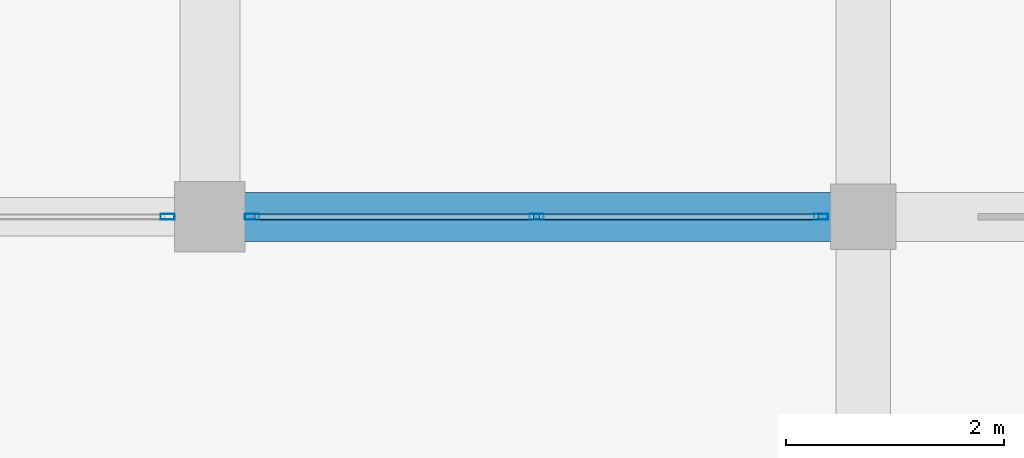
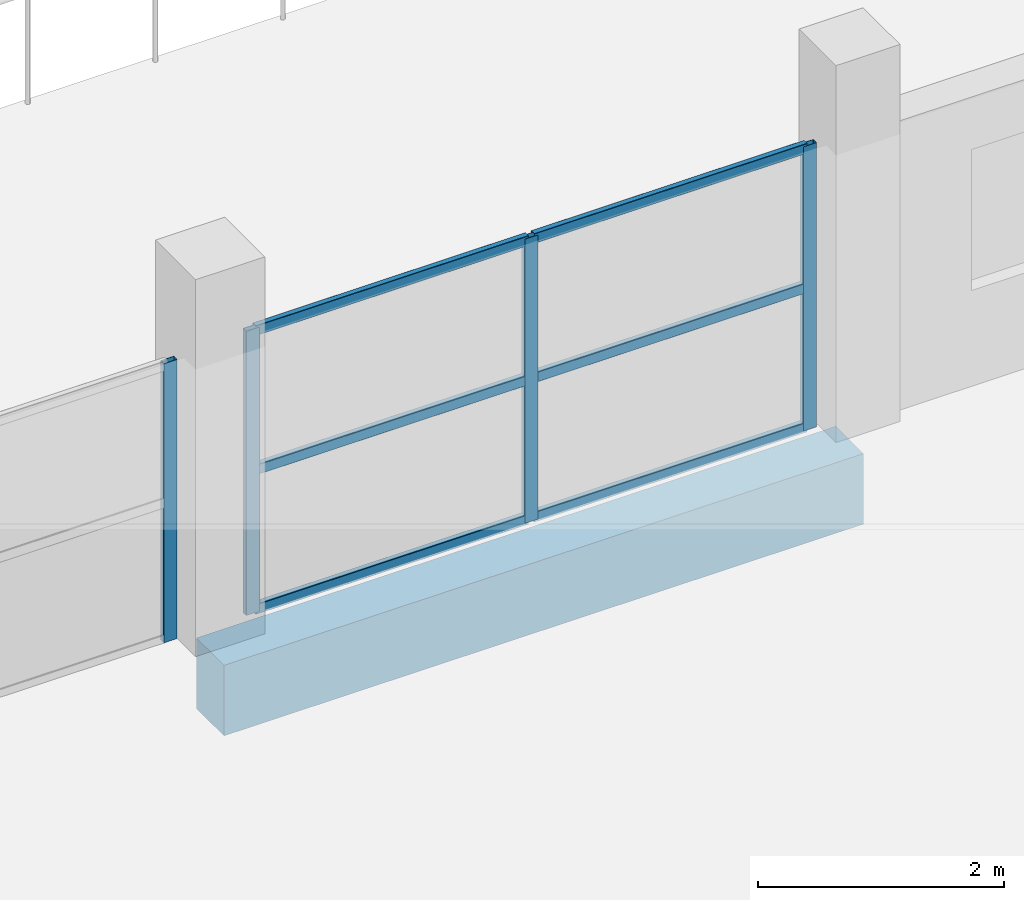
# One storey, part 4 of 19: 10 members, 1 beam, 2 elements without a shape of their own.
"""IFC4 building model written with IfcOpenShell, lengths in metres."""

from ifc_helpers import new_model, si_unit, direction, frame, origin, origin_2d, place, context, subcontext, project, spatial, rectangle, hollow_rectangle, extrude, material, layer, layer_set, material_profile, profile_set, type_object, element, aggregate, save


model = new_model("IFC4")

# Units and contexts
model_context = context("Model", 3, precision=1e-05, world=origin(), true_north=direction((0.0, 1.0)))
body_context = subcontext(model_context, "Body", "Model", "MODEL_VIEW")
ifc_project = project(units=[si_unit("LENGTHUNIT", "METRE"), si_unit("AREAUNIT", "SQUARE_METRE"), si_unit("VOLUMEUNIT", "CUBIC_METRE"), si_unit("PLANEANGLEUNIT", "RADIAN"), si_unit("MASSUNIT", "GRAM", prefix="KILO")], contexts=[model_context])

# Site, building, storey
site_placement = place(None, origin())
site = spatial("IfcSite", under=ifc_project, at=site_placement, CompositionType="ELEMENT")
building_placement = place(site_placement, origin())
building = spatial("IfcBuilding", under=site, at=building_placement, Name="Dunvalen Ferry Terminal", CompositionType="ELEMENT")
storey_placement = place(building_placement, frame((0.0, 0.0, 13.580078125)))
storey = spatial("IfcBuildingStorey", under=building, at=storey_placement, Name="L03", CompositionType="ELEMENT", Elevation=13.580078125)

# Curtain wall, members
ifc_material_1 = material(Name="Anodised marine aluminium and solar-control glazing", Category="aluminium")
ifc_layer = layer(ifc_material_1, 0.14990234375, Name="Anodised marine aluminium and solar-control glazing")
ifc_layer_set = layer_set([ifc_layer], Name="Anodised marine aluminium and solar-control glazing")
curtain_wall_type = type_object("IfcCurtainWallType", Name="ENV-CW-SYS-11", PredefinedType="NOTDEFINED", material=ifc_layer_set)
curtain_wall_1_placement = place(storey_placement, origin())
curtain_wall_1 = element("IfcCurtainWall", 1, at=curtain_wall_1_placement, inside=storey, type_object=curtain_wall_type, Name="L03 Curtain Wall CW-V5CORE-L03-7-4", PredefinedType="NOTDEFINED")
ifc_material_2 = material(Name="Anodised marine aluminium EN AW-6063 T6", Category="aluminium")
ifc_material_profile_1 = material_profile(ifc_material_2, hollow_rectangle(XDim=0.054931640625, YDim=0.1298828125, WallThickness=0.003173828125, InnerFilletRadius=0.003173828125, OuterFilletRadius=0.00634765625, at=origin_2d()), Name="Anodised marine aluminium EN AW-6063 T6")
ifc_profile_set_1 = profile_set([ifc_material_profile_1], Name="Anodised marine aluminium EN AW-6063 T6")
member_type_1 = type_object("IfcMemberType", Name="ENV-CW-MUL-4", PredefinedType="MULLION", material=ifc_profile_set_1)
member_1_placement = place(storey_placement, frame((35.612548828125, 28.800048828125, 0.0), z_axis=(0.0, 0.0, 1.0), x_axis=(0.0, -1.0, 0.0)))
member_1 = element("IfcMember", 2, at=member_1_placement, type_object=member_type_1, Name="CW-11 mullion 1", PredefinedType="MULLION", context=body_context, shape_type="SweptSolid", body=[
    extrude(hollow_rectangle(XDim=0.054931640625, YDim=0.1298828125, WallThickness=0.003173828125, InnerFilletRadius=0.003173828125, OuterFilletRadius=0.00634765625, at=origin_2d()), origin(), (0.0, 0.0, 1.0), 2.81982421875),
])
member_2_placement = place(storey_placement, frame((33.0, 28.800048828125, 0.0), z_axis=(0.0, 0.0, 1.0), x_axis=(0.0, -1.0, 0.0)))
member_2 = element("IfcMember", 3, at=member_2_placement, type_object=member_type_1, Name="CW-11 mullion 2", PredefinedType="MULLION", context=body_context, shape_type="SweptSolid", body=[
    extrude(hollow_rectangle(XDim=0.054931640625, YDim=0.1298828125, WallThickness=0.003173828125, InnerFilletRadius=0.003173828125, OuterFilletRadius=0.00634765625, at=origin_2d()), origin(), (0.0, 0.0, 1.0), 2.81982421875),
])
member_3_placement = place(storey_placement, frame((30.387451171875, 28.800048828125, 0.0), z_axis=(0.0, 0.0, 1.0), x_axis=(0.0, -1.0, 0.0)))
member_3 = element("IfcMember", 4, at=member_3_placement, type_object=member_type_1, Name="CW-11 mullion 3", PredefinedType="MULLION", context=body_context, shape_type="SweptSolid", body=[
    extrude(hollow_rectangle(XDim=0.054931640625, YDim=0.1298828125, WallThickness=0.003173828125, InnerFilletRadius=0.003173828125, OuterFilletRadius=0.00634765625, at=origin_2d()), origin(), (0.0, 0.0, 1.0), 2.81982421875),
])

# Curtain wall, member
curtain_wall_2_placement = place(storey_placement, origin())
curtain_wall_2 = element("IfcCurtainWall", 5, at=curtain_wall_2_placement, inside=storey, type_object=curtain_wall_type, Name="L03 Curtain Wall CW-V5CORE-L03-7-5", PredefinedType="NOTDEFINED")
member_4_placement = place(storey_placement, frame((29.612548828125, 28.800048828125, 0.0), z_axis=(0.0, 0.0, 1.0), x_axis=(0.0, -1.0, 0.0)))
member_4 = element("IfcMember", 6, at=member_4_placement, type_object=member_type_1, Name="CW-11 mullion 1", PredefinedType="MULLION", context=body_context, shape_type="SweptSolid", body=[
    extrude(hollow_rectangle(XDim=0.054931640625, YDim=0.1298828125, WallThickness=0.003173828125, InnerFilletRadius=0.003173828125, OuterFilletRadius=0.00634765625, at=origin_2d()), origin(), (0.0, 0.0, 1.0), 2.77001953125),
])
aggregate(curtain_wall_2, [member_4])

# Member
ifc_material_profile_2 = material_profile(ifc_material_2, hollow_rectangle(XDim=0.054931640625, YDim=0.10009765625, WallThickness=0.0029296875, InnerFilletRadius=0.0029296875, OuterFilletRadius=0.006103515625, at=origin_2d()), Name="Anodised marine aluminium EN AW-6063 T6")
ifc_profile_set_2 = profile_set([ifc_material_profile_2], Name="Anodised marine aluminium EN AW-6063 T6")
member_type_2 = type_object("IfcMemberType", Name="ENV-CW-TRN-4", PredefinedType="USERDEFINED", material=ifc_profile_set_2)
member_5_placement = place(storey_placement, frame((35.5849609375, 28.800048828125, 0.02734375), z_axis=(-1.0, 0.0, 0.0), x_axis=(0.0, -1.0, 0.0)))
member_5 = element("IfcMember", 7, at=member_5_placement, type_object=member_type_2, Name="CW-11 transom 1.1", ObjectType="TRANSOM", PredefinedType="USERDEFINED", context=body_context, shape_type="SweptSolid", body=[
    extrude(hollow_rectangle(XDim=0.054931640625, YDim=0.10009765625, WallThickness=0.0029296875, InnerFilletRadius=0.0029296875, OuterFilletRadius=0.006103515625, at=origin_2d()), origin(), (0.0, 0.0, 1.0), 2.557373046875),
])

member_6_placement = place(storey_placement, frame((35.5849609375, 28.800048828125, 1.409912109375), z_axis=(-1.0, 0.0, 0.0), x_axis=(0.0, -1.0, 0.0)))
member_6 = element("IfcMember", 8, at=member_6_placement, type_object=member_type_2, Name="CW-11 transom 1.2", ObjectType="TRANSOM", PredefinedType="USERDEFINED", context=body_context, shape_type="SweptSolid", body=[
    extrude(hollow_rectangle(XDim=0.054931640625, YDim=0.10009765625, WallThickness=0.0029296875, InnerFilletRadius=0.0029296875, OuterFilletRadius=0.006103515625, at=origin_2d()), origin(), (0.0, 0.0, 1.0), 2.557373046875),
])

member_7_placement = place(storey_placement, frame((35.5849609375, 28.800048828125, 2.79248046875), z_axis=(-1.0, 0.0, 0.0), x_axis=(0.0, -1.0, 0.0)))
member_7 = element("IfcMember", 9, at=member_7_placement, type_object=member_type_2, Name="CW-11 transom 1.3", ObjectType="TRANSOM", PredefinedType="USERDEFINED", context=body_context, shape_type="SweptSolid", body=[
    extrude(hollow_rectangle(XDim=0.054931640625, YDim=0.10009765625, WallThickness=0.0029296875, InnerFilletRadius=0.0029296875, OuterFilletRadius=0.006103515625, at=origin_2d()), origin(), (0.0, 0.0, 1.0), 2.557373046875),
])

member_8_placement = place(storey_placement, frame((32.972412109375, 28.800048828125, 0.02734375), z_axis=(-1.0, 0.0, 0.0), x_axis=(0.0, -1.0, 0.0)))
member_8 = element("IfcMember", 10, at=member_8_placement, type_object=member_type_2, Name="CW-11 transom 2.1", ObjectType="TRANSOM", PredefinedType="USERDEFINED", context=body_context, shape_type="SweptSolid", body=[
    extrude(hollow_rectangle(XDim=0.054931640625, YDim=0.10009765625, WallThickness=0.0029296875, InnerFilletRadius=0.0029296875, OuterFilletRadius=0.006103515625, at=origin_2d()), origin(), (0.0, 0.0, 1.0), 2.557373046875),
])

member_9_placement = place(storey_placement, frame((32.972412109375, 28.800048828125, 1.409912109375), z_axis=(-1.0, 0.0, 0.0), x_axis=(0.0, -1.0, 0.0)))
member_9 = element("IfcMember", 11, at=member_9_placement, type_object=member_type_2, Name="CW-11 transom 2.2", ObjectType="TRANSOM", PredefinedType="USERDEFINED", context=body_context, shape_type="SweptSolid", body=[
    extrude(hollow_rectangle(XDim=0.054931640625, YDim=0.10009765625, WallThickness=0.0029296875, InnerFilletRadius=0.0029296875, OuterFilletRadius=0.006103515625, at=origin_2d()), origin(), (0.0, 0.0, 1.0), 2.557373046875),
])

member_10_placement = place(storey_placement, frame((32.972412109375, 28.800048828125, 2.79248046875), z_axis=(-1.0, 0.0, 0.0), x_axis=(0.0, -1.0, 0.0)))
member_10 = element("IfcMember", 12, at=member_10_placement, type_object=member_type_2, Name="CW-11 transom 2.3", ObjectType="TRANSOM", PredefinedType="USERDEFINED", context=body_context, shape_type="SweptSolid", body=[
    extrude(hollow_rectangle(XDim=0.054931640625, YDim=0.10009765625, WallThickness=0.0029296875, InnerFilletRadius=0.0029296875, OuterFilletRadius=0.006103515625, at=origin_2d()), origin(), (0.0, 0.0, 1.0), 2.557373046875),
])

aggregate(curtain_wall_1, [member_1, member_2, member_3, member_5, member_6, member_7, member_8, member_9, member_10])

# Beam
ifc_material_3 = material(Name="Concrete C40/50", Category="concrete")
ifc_material_profile_3 = material_profile(ifc_material_3, rectangle(XDim=0.449951171875, YDim=0.699951171875, at=origin_2d()), Name="Concrete C40/50")
ifc_profile_set_3 = profile_set([ifc_material_profile_3], Name="Concrete C40/50")
beam_type = type_object("IfcBeamType", Name="STR-BM-RCB700", PredefinedType="BEAM", material=ifc_profile_set_3)
beam_placement = place(storey_placement, frame((30.0, 28.800048828125, -0.610107421875), z_axis=(1.0, 0.0, 0.0), x_axis=(0.0, 1.0, 0.0)))
element("IfcBeam", 13, at=beam_placement, inside=storey, type_object=beam_type, Name="L03 V5P0 Primary Beam X-028", PredefinedType="BEAM", context=body_context, shape_type="SweptSolid", body=[
    extrude(rectangle(XDim=0.449951171875, YDim=0.699951171875, at=origin_2d()), origin(), (0.0, 0.0, 1.0), 6.0),
])

save(model, "model.ifc")
